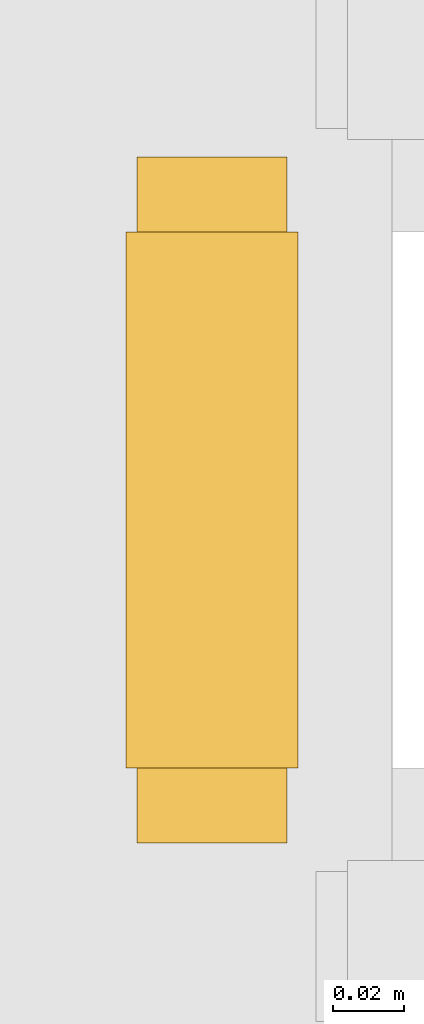
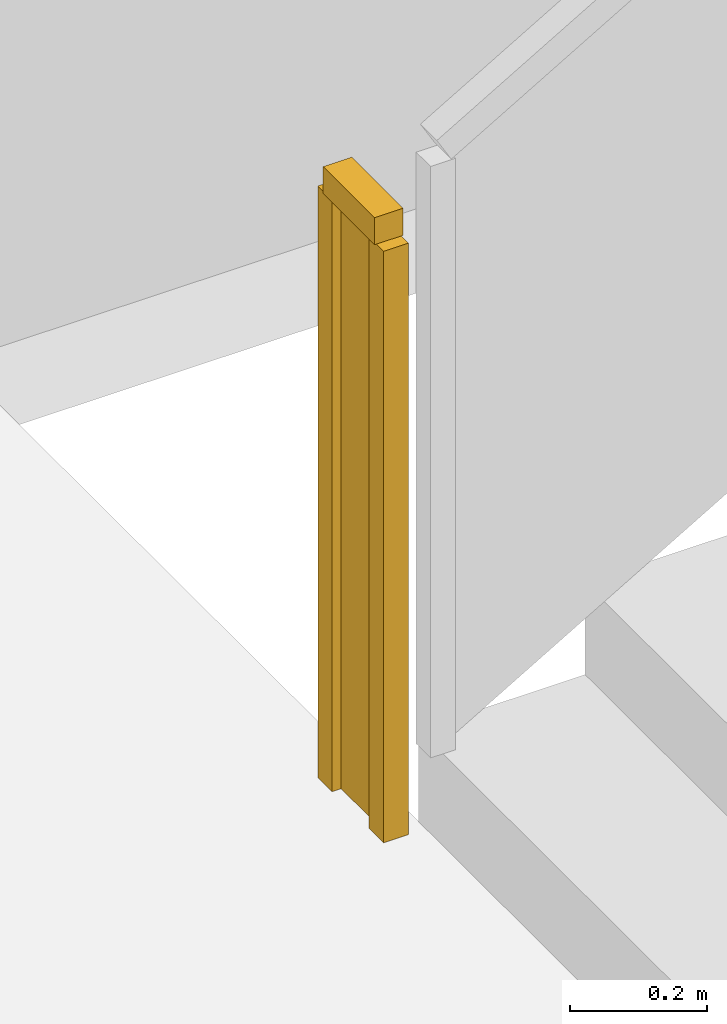
# One storey, part 15 of 20: 1 railing.
"""IFC4 building model written with IfcOpenShell, lengths in metres."""

from ifc_helpers import new_model, si_unit, direction, frame, origin, origin_2d, place, context, subcontext, project, spatial, polyline, rectangle, outline, extrude, material, type_object, element, save


model = new_model("IFC4")

# Units and contexts
model_context = context("Model", 3, precision=1e-05, world=origin(), true_north=direction((0.0, 1.0)))
body_context = subcontext(model_context, "Body", "Model", "MODEL_VIEW")
ifc_project = project(units=[si_unit("LENGTHUNIT", "METRE"), si_unit("AREAUNIT", "SQUARE_METRE"), si_unit("VOLUMEUNIT", "CUBIC_METRE"), si_unit("PLANEANGLEUNIT", "RADIAN"), si_unit("MASSUNIT", "GRAM", prefix="KILO")], contexts=[model_context])

# Site, building, storey
site_placement = place(None, origin())
site = spatial("IfcSite", under=ifc_project, at=site_placement, CompositionType="ELEMENT")
building_placement = place(site_placement, origin())
building = spatial("IfcBuilding", under=site, at=building_placement, Name="Cairn Pilgrim Tower", CompositionType="ELEMENT")
storey_placement = place(building_placement, frame((0.0, 0.0, 101.39990234375)))
storey = spatial("IfcBuildingStorey", under=building, at=storey_placement, Name="L24", CompositionType="ELEMENT", Elevation=101.39990234375)

# Railing
ifc_material = material(Name="Painted steel", Category="steel")
railing_type = type_object("IfcRailingType", Name="STAIR GUARD 1100", PredefinedType="GUARDRAIL", material=ifc_material)
railing_placement = place(storey_placement, frame((4.425048828125, 3.47509765625, 0.0)))
element("IfcRailing", 1, at=railing_placement, inside=storey, type_object=railing_type, Name="L24 ST-B stair guard 2", PredefinedType="GUARDRAIL", context=body_context, shape_type="SweptSolid", body=[
    extrude(rectangle(XDim=0.048095703125, YDim=0.048095703125, at=origin_2d()), frame((0.0, 0.0, 1.076171875), z_axis=(0.0, 1.0, 0.0), x_axis=(-1.0, 0.0, 0.0)), (0.0, 0.0, 1.0), 0.14990234375),
    extrude(rectangle(XDim=0.0419921875, YDim=0.0419921875, at=origin_2d()), origin(), (0.0, 0.0, 1.0), 1.052001953125),
    extrude(rectangle(XDim=0.0419921875, YDim=0.0419921875, at=origin_2d()), frame((0.0, 0.14990234375, 0.0)), (0.0, 0.0, 1.0), 1.052001953125),
    extrude(outline(polyline([(0.02099609375, 0.0), (0.12890625, 0.0), (0.12890625, 1.052001953125), (0.02099609375, 1.052001953125), (0.02099609375, 0.0)])), frame((-0.005859375, 0.0, 0.0), z_axis=(1.0, 0.0, 0.0), x_axis=(0.0, 1.0, 0.0)), (0.0, 0.0, 1.0), 0.011962890625),
])

save(model, "model.ifc")
